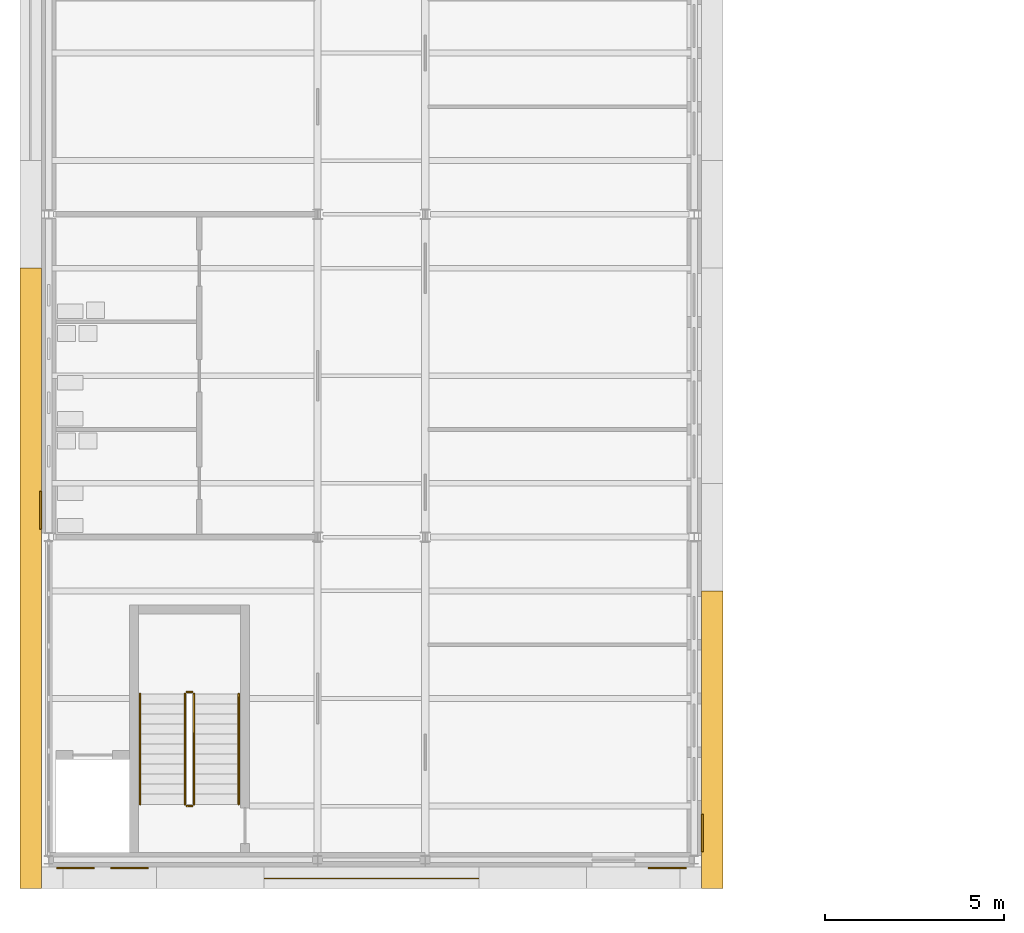
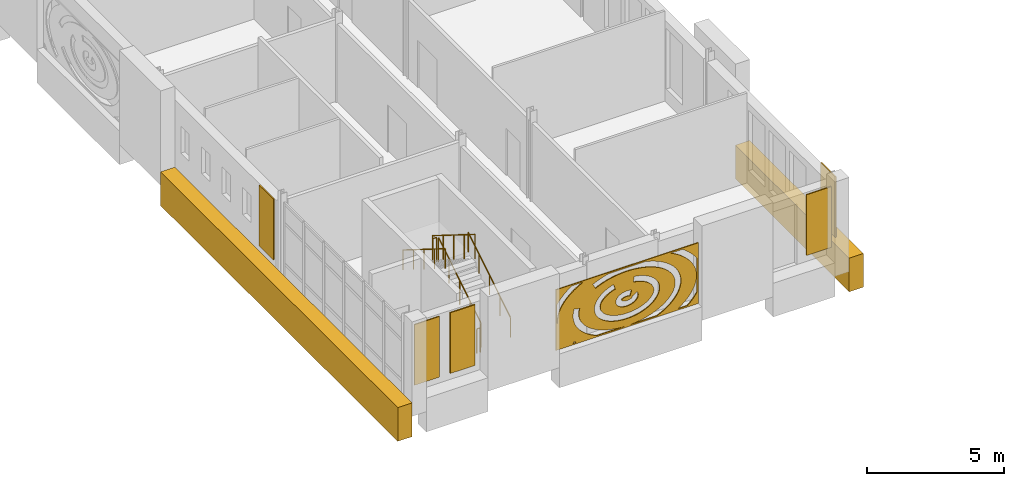
# One storey, part 113 of 121: 8 coverings, 6 railings.
"""IFC4 building model written with IfcOpenShell, lengths in metres."""

import ifcopenshell
import ifcopenshell.guid

model = None  # the IFC model being written
_history = None  # IfcOwnerHistory: only IFC2X3 demands one
_inside = {}  # id of a spatial element -> (the spatial element, [elements in it])
_under = {}  # id of a project, library or spatial element -> (it, [spatial elements below it])
_declared = {}  # id of a project -> (the project, [libraries it declares])
_typed = {}  # id of a type object -> (the type object, [elements of that type])
_made_of = {}  # id of a material, layer set ... -> (it, [elements and type objects made of it])


def new_model(schema):
    """Start an empty IFC model of exactly this schema.

    Asked for "IFC4X3", IfcOpenShell would pick the latest addendum, in which some entities
    have other attributes; the version numbers below select the first issue.
    IFC2X3 requires an IfcOwnerHistory on every rooted entity: one is made here for all.
    """
    global model, _history
    if schema == "IFC4X3":
        model = ifcopenshell.file(schema_version=(4, 3, 0, 0))
    else:
        model = ifcopenshell.file(schema=schema)
    _inside.clear()
    _under.clear()
    _declared.clear()
    _typed.clear()
    _made_of.clear()
    _history = None
    if model.schema == "IFC2X3":
        org = make("IfcOrganization", Name="unknown")
        user = make(
            "IfcPersonAndOrganization",
            ThePerson=make("IfcPerson", FamilyName="unknown"),
            TheOrganization=org,
        )
        app = make(
            "IfcApplication",
            ApplicationDeveloper=org,
            Version="unknown",
            ApplicationFullName="unknown",
            ApplicationIdentifier="unknown",
        )
        _history = make(
            "IfcOwnerHistory",
            OwningUser=user,
            OwningApplication=app,
            ChangeAction="ADDED",
            CreationDate=0,
        )
    return model


def make(cls, **values):
    """One entity of the class cls with the attributes given. An attribute that is None is left unset."""
    return model.create_entity(
        cls, **{name: value for name, value in values.items() if value is not None}
    )


def rooted(cls, **values):
    """An entity with a GlobalId (a new one), such as an element, a storey or a relation."""
    return make(cls, GlobalId=ifcopenshell.guid.new(), OwnerHistory=_history, **values)


def si_unit(unit_type, name, prefix=None):
    """IfcSIUnit, for example si_unit("LENGTHUNIT", "METRE", prefix="MILLI")."""
    return make("IfcSIUnit", UnitType=unit_type, Prefix=prefix, Name=name)


def assignment(units):
    """IfcUnitAssignment: the units of a project."""
    return None if units is None else make("IfcUnitAssignment", Units=units)


def point(xyz):
    """IfcCartesianPoint."""
    return None if xyz is None else make("IfcCartesianPoint", Coordinates=xyz)


def direction(xyz):
    """IfcDirection."""
    return None if xyz is None else make("IfcDirection", DirectionRatios=xyz)


def frame(location, z_axis=None, x_axis=None):
    """IfcAxis2Placement3D, a coordinate frame: its origin and axes. An axis left out is left unset."""
    return make(
        "IfcAxis2Placement3D",
        Location=point(location),
        Axis=direction(z_axis),
        RefDirection=direction(x_axis),
    )


def frame_2d(location, x_axis=None):
    """IfcAxis2Placement2D, a coordinate frame in the plane: its origin and x axis."""
    return make(
        "IfcAxis2Placement2D", Location=point(location), RefDirection=direction(x_axis)
    )


def origin():
    """The frame at (0, 0, 0) with its axes left unset."""
    return frame((0.0, 0.0, 0.0))


def origin_2d():
    """The frame at (0, 0) in the plane with its x axis left unset."""
    return frame_2d((0.0, 0.0))


def place(relative_to, where):
    """IfcLocalPlacement: puts the frame where relative to a parent placement (None: the world)."""
    return make(
        "IfcLocalPlacement", PlacementRelTo=relative_to, RelativePlacement=where
    )


def context(
    kind, dimensions, precision=None, world=None, true_north=None, identifier=None
):
    """IfcGeometricRepresentationContext, for example the 3D "Model" context."""
    return make(
        "IfcGeometricRepresentationContext",
        ContextIdentifier=identifier,
        ContextType=kind,
        CoordinateSpaceDimension=dimensions,
        Precision=precision,
        WorldCoordinateSystem=world,
        TrueNorth=true_north,
    )


def subcontext(parent, identifier, kind, view, scale=None):
    """IfcGeometricRepresentationSubContext, for example "Body" below "Model"."""
    return make(
        "IfcGeometricRepresentationSubContext",
        ContextIdentifier=identifier,
        ContextType=kind,
        ParentContext=parent,
        TargetScale=scale,
        TargetView=view,
    )


def project(units=None, contexts=None):
    """IfcProject with its units and contexts."""
    return rooted(
        "IfcProject",
        Name="project",
        RepresentationContexts=contexts,
        UnitsInContext=assignment(units),
    )


def spatial(cls, under=None, at=None, **own):
    """A site, building, storey or space (cls), placed at a placement, below another one or the project."""
    s = rooted(cls, ObjectPlacement=at, **own)
    if under is not None:
        _under.setdefault(under.id(), (under, []))[1].append(s)
    return s


def polyline(points):
    """IfcPolyline through the points."""
    return make("IfcPolyline", Points=[point(p) for p in points])


def profile(cls, at=None, kind="AREA", **sizes):
    """A parametric profile (cls). Its sizes go by their IFC names, for example OverallWidth=200.0."""
    return make(cls, ProfileType=kind, Position=at, **sizes)


def circle(**sizes):
    """IfcCircleProfileDef."""
    return profile("IfcCircleProfileDef", **sizes)


def outline(outer, holes=None, kind="AREA"):
    """IfcArbitraryClosedProfileDef: a profile drawn as a closed curve; with holes, ...WithVoids."""
    if holes is None:
        return make("IfcArbitraryClosedProfileDef", ProfileType=kind, OuterCurve=outer)
    return make(
        "IfcArbitraryProfileDefWithVoids",
        ProfileType=kind,
        OuterCurve=outer,
        InnerCurves=holes,
    )


def extrude(swept, where, along, depth):
    """IfcExtrudedAreaSolid: the profile swept, set in the frame where, extruded along a direction by depth."""
    return make(
        "IfcExtrudedAreaSolid",
        SweptArea=swept,
        Position=where,
        ExtrudedDirection=direction(along),
        Depth=depth,
    )


def shape(context_of_items, identifier, shape_type, items):
    """IfcShapeRepresentation: the items that make up one representation, for example the "Body"."""
    return make(
        "IfcShapeRepresentation",
        ContextOfItems=context_of_items,
        RepresentationIdentifier=identifier,
        RepresentationType=shape_type,
        Items=items,
    )


def material(Name=None, Category=None):
    """IfcMaterial."""
    return make("IfcMaterial", Name=Name, Category=Category)


def layer(
    of_material, thickness, ventilated=None, Name=None, Category=None, Priority=None
):
    """IfcMaterialLayer: one layer of a wall or slab, of a material (None: an air gap)."""
    return make(
        "IfcMaterialLayer",
        Material=of_material,
        LayerThickness=thickness,
        IsVentilated=ventilated,
        Name=Name,
        Category=Category,
        Priority=Priority,
    )


def layer_set(layers, Name=None):
    """IfcMaterialLayerSet."""
    return make("IfcMaterialLayerSet", MaterialLayers=layers, LayerSetName=Name)


def made_of(thing, what):
    """Note that an element or type object is made of a material, layer set ...; save() writes the relation."""
    if what is not None:
        _made_of.setdefault(what.id(), (what, []))[1].append(thing)
    return thing


def type_object(cls, material=None, **own):
    """A type object (cls), such as IfcWallType, which elements share."""
    return made_of(rooted(cls, **own), material)


def element(
    cls,
    number,
    at=None,
    inside=None,
    cuts=None,
    type_object=None,
    material=None,
    context=None,
    identifier="Body",
    shape_type=None,
    held_by="IfcProductDefinitionShape",
    body=None,
    shapes=None,
    **own,
):
    """One element of the class cls, such as IfcWall. Its Tag is "e" and its number.

    at: its placement. inside: the storey or other place that contains it. cuts: it is an
    opening in that element (IfcRelVoidsElement). A single representation is given by context,
    identifier, shape_type and body (its items); several are given by shapes. held_by: the class
    of the entity that holds the representations. save() writes the other relations.
    """
    e = rooted(cls, Tag="e%d" % number, ObjectPlacement=at, **own)
    if body is not None:
        shapes = [shape(context, identifier, shape_type, body)]
    if shapes is not None:
        e.Representation = make(held_by, Representations=shapes)
    if inside is not None:
        _inside.setdefault(inside.id(), (inside, []))[1].append(e)
    if cuts is not None:
        rooted(
            "IfcRelVoidsElement", RelatingBuildingElement=cuts, RelatedOpeningElement=e
        )
    if type_object is not None:
        _typed.setdefault(type_object.id(), (type_object, []))[1].append(e)
    return made_of(e, material)


def aggregate(whole, parts):
    """IfcRelAggregates: a whole, such as a stair, and the parts it consists of."""
    return rooted("IfcRelAggregates", RelatingObject=whole, RelatedObjects=parts)


def save(model, path):
    """Write the relations noted so far, then the file.

    IfcRelAggregates (storeys below a building ...), IfcRelContainedInSpatialStructure (elements
    in a storey), IfcRelDefinesByType, IfcRelAssociatesMaterial and IfcRelDeclares: one each for
    every whole, place, type object, material and project.
    """
    for whole, parts in _under.values():
        aggregate(whole, parts)
    for where, things in _inside.values():
        rooted(
            "IfcRelContainedInSpatialStructure",
            RelatedElements=things,
            RelatingStructure=where,
        )
    for kind, things in _typed.values():
        rooted("IfcRelDefinesByType", RelatedObjects=things, RelatingType=kind)
    for what, things in _made_of.values():
        rooted("IfcRelAssociatesMaterial", RelatedObjects=things, RelatingMaterial=what)
    for by, libraries in _declared.values():
        rooted("IfcRelDeclares", RelatingContext=by, RelatedDefinitions=libraries)
    model.write(path)


model = new_model("IFC4")

# Units and contexts
model_context = context("Model", 3, precision=1e-05, world=origin(), true_north=direction((0.0, 1.0)))
body_context = subcontext(model_context, "Body", "Model", "MODEL_VIEW")
ifc_project = project(units=[si_unit("LENGTHUNIT", "METRE"), si_unit("AREAUNIT", "SQUARE_METRE"), si_unit("VOLUMEUNIT", "CUBIC_METRE"), si_unit("PLANEANGLEUNIT", "RADIAN"), si_unit("MASSUNIT", "GRAM", prefix="KILO")], contexts=[model_context])

# Site, building, storey
site_placement = place(None, origin())
site = spatial("IfcSite", under=ifc_project, at=site_placement, CompositionType="ELEMENT")
building_placement = place(site_placement, origin())
building = spatial("IfcBuilding", under=site, at=building_placement, Name="Golden Quay Civic Hall", CompositionType="ELEMENT")
storey_placement = place(building_placement, frame((0.0, 0.0, 18.60009765625)))
storey = spatial("IfcBuildingStorey", under=building, at=storey_placement, Name="L04", CompositionType="ELEMENT", Elevation=18.60009765625)

# Covering
ifc_material_1 = material(Name="Aluminium, golden anodised, perforated", Category="aluminium")
ifc_layer_1 = layer(ifc_material_1, 0.0400390625)
ifc_layer_set_1 = layer_set([ifc_layer_1], Name="Perforated screen panel 6000 x 2700 x 40")
covering_type_1 = type_object("IfcCoveringType", Name="Perforated screen panel 6000 x 2700 x 40", PredefinedType="CLADDING", material=ifc_layer_set_1)
covering_1_placement = place(storey_placement, frame((9.0, -9.5, 1.949951171875), z_axis=(0.0, -1.0, 0.0), x_axis=(1.0, 0.0, 0.0)))
element("IfcCovering", 1, at=covering_1_placement, inside=storey, type_object=covering_type_1, Name="Perforated screen panel 6000 x 2700 x 40 L04 6", PredefinedType="CLADDING", context=body_context, shape_type="SweptSolid", body=[
    extrude(outline(polyline([(-3.0, -1.35009765625), (3.0, -1.35009765625), (3.0, 1.35009765625), (-3.0, 1.35009765625), (-3.0, -1.35009765625)]), holes=[polyline([(0.080810546875, 0.007080078125), (0.03125, 0.013671875), (-0.02001953125, 0.014404296875), (-0.0703125, 0.009033203125), (-0.11669921875, -0.001708984375), (-0.15673828125, -0.0166015625), (-0.20068359375, -0.04296875), (-0.222412109375, -0.066162109375), (-0.226806640625, -0.0751953125), (-0.226806640625, -0.084716796875), (-0.210205078125, -0.108642578125), (-0.17333984375, -0.135009765625), (-0.13720703125, -0.151611328125), (-0.093505859375, -0.16455078125), (-0.044921875, -0.172607421875), (0.006103515625, -0.1748046875), (0.056884765625, -0.1708984375), (0.1044921875, -0.161865234375), (0.146728515625, -0.14794921875), (0.1943359375, -0.121826171875), (0.2138671875, -0.104736328125), (0.22607421875, -0.086669921875), (0.22607421875, -0.073486328125), (0.21630859375, -0.056884765625), (0.423095703125, 0.073486328125), (0.45166015625, 0.02099609375), (0.463623046875, -0.014892578125), (0.470703125, -0.052490234375), (0.4716796875, -0.09130859375), (0.46728515625, -0.1298828125), (0.45703125, -0.1669921875), (0.441650390625, -0.202392578125), (0.413330078125, -0.246826171875), (0.3720703125, -0.2919921875), (0.333984375, -0.322509765625), (0.278564453125, -0.356201171875), (0.20751953125, -0.385986328125), (0.16259765625, -0.3994140625), (0.08544921875, -0.413818359375), (0.006103515625, -0.419189453125), (-0.073486328125, -0.415283203125), (-0.151611328125, -0.40185546875), (-0.21826171875, -0.382080078125), (-0.287353515625, -0.351318359375), (-0.328125, -0.32666015625), (-0.376953125, -0.287353515625), (-0.410888671875, -0.25), (-0.443115234375, -0.199462890625), (-0.462890625, -0.148193359375), (-0.4716796875, -0.089599609375), (-0.4677734375, -0.032958984375), (-0.450439453125, 0.023681640625), (-0.43310546875, 0.057861328125), (-0.41162109375, 0.089111328125), (-0.377685546875, 0.126708984375), (-0.320068359375, 0.172119140625), (-0.25439453125, 0.20751953125), (-0.1826171875, 0.23388671875), (-0.14501953125, 0.243408203125), (-0.074462890625, 0.255126953125), (0.01220703125, 0.259033203125), (0.08447265625, 0.25390625), (0.123291015625, 0.247802734375), (0.19873046875, 0.22900390625), (0.1298828125, -0.005615234375), (0.080810546875, 0.007080078125)]), polyline([(-0.646728515625, 0.451904296875), (-0.717041015625, 0.42041015625), (-0.78271484375, 0.385986328125), (-0.84326171875, 0.348876953125), (-0.898193359375, 0.309814453125), (-0.94775390625, 0.2685546875), (-0.9912109375, 0.22607421875), (-1.028564453125, 0.1826171875), (-1.059814453125, 0.138427734375), (-1.0849609375, 0.093994140625), (-1.10400390625, 0.049560546875), (-1.117431640625, 0.005126953125), (-1.125244140625, -0.038818359375), (-1.127685546875, -0.082763671875), (-1.12451171875, -0.126708984375), (-1.1162109375, -0.170654296875), (-1.10205078125, -0.215087890625), (-1.08203125, -0.259521484375), (-1.05615234375, -0.303955078125), (-1.0244140625, -0.347900390625), (-0.986083984375, -0.391357421875), (-0.94189453125, -0.433837890625), (-0.891845703125, -0.474609375), (-0.8359375, -0.513671875), (-0.77490234375, -0.55029296875), (-0.70849609375, -0.58447265625), (-0.6376953125, -0.615478515625), (-0.56298828125, -0.643310546875), (-0.484375, -0.667724609375), (-0.402587890625, -0.688720703125), (-0.318359375, -0.70556640625), (-0.23193359375, -0.718505859375), (-0.14404296875, -0.727294921875), (-0.055419921875, -0.73193359375), (0.03369140625, -0.732421875), (0.122802734375, -0.728759765625), (0.210693359375, -0.720947265625), (0.297607421875, -0.708984375), (0.382568359375, -0.693115234375), (0.46484375, -0.673095703125), (0.544189453125, -0.649658203125), (0.6201171875, -0.62255859375), (0.69189453125, -0.59228515625), (0.75927734375, -0.558837890625), (0.821533203125, -0.522705078125), (0.87890625, -0.484375), (0.930419921875, -0.44384765625), (0.97607421875, -0.40185546875), (1.015625, -0.358642578125), (1.049072265625, -0.314697265625), (1.076416015625, -0.270263671875), (1.09765625, -0.225830078125), (1.11328125, -0.181396484375), (1.123046875, -0.13720703125), (1.127197265625, -0.093505859375), (1.126220703125, -0.049560546875), (1.119873046875, -0.00537109375), (1.10791015625, 0.038818359375), (1.090087890625, 0.083251953125), (1.06640625, 0.127685546875), (1.03662109375, 0.171875), (1.000732421875, 0.215576171875), (0.958740234375, 0.25830078125), (0.910888671875, 0.2998046875), (0.857177734375, 0.339599609375), (0.7978515625, 0.377197265625), (0.7333984375, 0.412109375), (0.664306640625, 0.4443359375), (0.5908203125, 0.473388671875), (0.513427734375, 0.499267578125), (0.432861328125, 0.521484375), (0.349609375, 0.539794921875), (0.260986328125, 0.5546875), (0.301513671875, 0.795654296875), (0.39306640625, 0.7802734375), (0.488525390625, 0.759521484375), (0.587646484375, 0.732177734375), (0.671142578125, 0.704345703125), (0.757568359375, 0.67041015625), (0.840087890625, 0.632080078125), (0.92529296875, 0.585693359375), (0.998779296875, 0.538818359375), (1.059814453125, 0.49365234375), (1.122314453125, 0.440185546875), (1.17919921875, 0.3828125), (1.236328125, 0.31298828125), (1.279296875, 0.248046875), (1.30908203125, 0.192138671875), (1.33740234375, 0.122802734375), (1.357666015625, 0.051513671875), (1.370361328125, -0.0361328125), (1.371337890625, -0.10986328125), (1.36328125, -0.18310546875), (1.34619140625, -0.255126953125), (1.326171875, -0.312744140625), (1.287841796875, -0.39306640625), (1.247314453125, -0.457763671875), (1.206787109375, -0.510986328125), (1.145263671875, -0.578125), (1.0849609375, -0.633056640625), (1.026123046875, -0.67919921875), (0.947509765625, -0.732421875), (0.87109375, -0.776123046875), (0.797119140625, -0.812744140625), (0.70556640625, -0.8515625), (0.616943359375, -0.883056640625), (0.525146484375, -0.909912109375), (0.4306640625, -0.9326171875), (0.33984375, -0.94970703125), (0.2353515625, -0.964111328125), (0.1357421875, -0.972900390625), (0.035400390625, -0.976806640625), (-0.0595703125, -0.976318359375), (-0.159912109375, -0.97119140625), (-0.265380859375, -0.96044921875), (-0.357421875, -0.94677734375), (-0.453857421875, -0.927490234375), (-0.5537109375, -0.902099609375), (-0.638671875, -0.875732421875), (-0.726318359375, -0.84326171875), (-0.810302734375, -0.806640625), (-0.89013671875, -0.765869140625), (-0.96533203125, -0.72119140625), (-1.035400390625, -0.672607421875), (-1.10009765625, -0.6201171875), (-1.158935546875, -0.564208984375), (-1.21875, -0.49609375), (-1.264404296875, -0.43212890625), (-1.302490234375, -0.365234375), (-1.327880859375, -0.30859375), (-1.351318359375, -0.23779296875), (-1.367919921875, -0.15087890625), (-1.371826171875, -0.092041015625), (-1.368896484375, -0.018310546875), (-1.353515625, 0.069091796875), (-1.331298828125, 0.139892578125), (-1.30078125, 0.20849609375), (-1.262939453125, 0.2744140625), (-1.224853515625, 0.328369140625), (-1.173095703125, 0.389404296875), (-1.114990234375, 0.44677734375), (-1.043701171875, 0.506103515625), (-0.974365234375, 0.55517578125), (-0.899658203125, 0.6005859375), (-0.820556640625, 0.641845703125), (-0.737060546875, 0.678955078125), (-0.64990234375, 0.7119140625), (-0.565185546875, 0.73876953125), (-0.4912109375, 0.505859375), (-0.572509765625, 0.47998046875), (-0.646728515625, 0.451904296875)]), polyline([(-2.021484375, 0.0126953125), (-2.02734375, -0.059814453125), (-2.025634765625, -0.13232421875), (-2.0166015625, -0.204833984375), (-2.0, -0.277099609375), (-1.9755859375, -0.349365234375), (-1.943603515625, -0.4208984375), (-1.904052734375, -0.4921875), (-1.856689453125, -0.56201171875), (-1.801513671875, -0.630859375), (-1.73876953125, -0.697998046875), (-1.668701171875, -0.762939453125), (-1.591552734375, -0.82568359375), (-1.50732421875, -0.885498046875), (-1.416748046875, -0.9423828125), (-1.320068359375, -0.99560546875), (-1.21728515625, -1.045166015625), (-1.109619140625, -1.0908203125), (-0.996826171875, -1.132080078125), (-0.8798828125, -1.169189453125), (-0.759033203125, -1.201416015625), (-0.634765625, -1.22900390625), (-0.5078125, -1.251708984375), (-0.378662109375, -1.269287109375), (-0.247802734375, -1.281494140625), (-0.115966796875, -1.288818359375), (-0.032958984375, -1.2900390625), (-1.26611328125, -1.2900390625), (-1.43505859375, -1.211181640625), (-1.53759765625, -1.15478515625), (-1.64013671875, -1.0908203125), (-1.736328125, -1.0224609375), (-1.83203125, -0.94482421875), (-1.914306640625, -0.867919921875), (-1.9892578125, -0.787353515625), (-2.05615234375, -0.703125), (-2.11474609375, -0.61572265625), (-2.164794921875, -0.525390625), (-2.205322265625, -0.4326171875), (-2.2333984375, -0.349365234375), (-2.256103515625, -0.253662109375), (-2.26904296875, -0.156494140625), (-2.271728515625, -0.05908203125), (-2.262939453125, 0.05078125), (-2.24462890625, 0.147216796875), (-2.220458984375, 0.231201171875), (-1.985595703125, 0.1630859375), (-2.00830078125, 0.085205078125), (-2.021484375, 0.0126953125)]), polyline([(0.148681640625, -1.28759765625), (0.280517578125, -1.279052734375), (0.410888671875, -1.265380859375), (0.53955078125, -1.24658203125), (0.666015625, -1.22265625), (0.789306640625, -1.19384765625), (0.9091796875, -1.160400390625), (1.025390625, -1.122314453125), (1.13671875, -1.079833984375), (1.243408203125, -1.033203125), (1.344482421875, -0.982666015625), (1.43994140625, -0.928466796875), (1.52880859375, -0.870849609375), (1.611328125, -0.810302734375), (1.686767578125, -0.7470703125), (1.755126953125, -0.681396484375), (1.81591796875, -0.614013671875), (1.869140625, -0.544921875), (1.91455078125, -0.474609375), (1.952392578125, -0.4033203125), (1.982421875, -0.331298828125), (2.004638671875, -0.25927734375), (2.01953125, -0.186767578125), (2.02685546875, -0.1142578125), (2.026611328125, -0.041748046875), (2.018798828125, 0.03076171875), (2.003662109375, 0.103271484375), (1.98095703125, 0.17529296875), (1.950439453125, 0.247314453125), (1.912109375, 0.318603515625), (1.8662109375, 0.388671875), (1.812744140625, 0.457763671875), (1.75146484375, 0.525146484375), (1.682861328125, 0.5908203125), (1.60693359375, 0.65380859375), (1.524169921875, 0.714111328125), (1.434814453125, 0.771484375), (1.339111328125, 0.82568359375), (1.237548828125, 0.8759765625), (1.130615234375, 0.92236328125), (1.018798828125, 0.964599609375), (0.902587890625, 1.00244140625), (0.782470703125, 1.03564453125), (0.658935546875, 1.064208984375), (0.532470703125, 1.087646484375), (0.40380859375, 1.106201171875), (0.273193359375, 1.11962890625), (0.141357421875, 1.127685546875), (0.009033203125, 1.130859375), (-0.123291015625, 1.12841796875), (-0.255126953125, 1.12109375), (-0.385986328125, 1.1083984375), (-0.514892578125, 1.090576171875), (-0.641845703125, 1.067626953125), (-0.765869140625, 1.039794921875), (-0.886474609375, 1.007080078125), (-1.00341796875, 0.969970703125), (-1.11572265625, 0.928466796875), (-1.223388671875, 0.882568359375), (-1.32861328125, 0.831298828125), (-1.435546875, 1.051025390625), (-1.322021484375, 1.106201171875), (-1.203369140625, 1.156494140625), (-1.08544921875, 1.2001953125), (-0.952880859375, 1.242431640625), (-0.76708984375, 1.2900390625), (0.76708984375, 1.2900390625), (0.84521484375, 1.27197265625), (0.9755859375, 1.235595703125), (1.097412109375, 1.196044921875), (1.219970703125, 1.14990234375), (1.343505859375, 1.09619140625), (1.45068359375, 1.043212890625), (1.557861328125, 0.982666015625), (1.6591796875, 0.91796875), (1.754150390625, 0.848876953125), (1.848388671875, 0.7705078125), (1.92333984375, 0.69921875), (1.996826171875, 0.61865234375), (2.068115234375, 0.526611328125), (2.125, 0.438720703125), (2.173095703125, 0.347900390625), (2.212158203125, 0.254638671875), (2.24169921875, 0.159423828125), (2.259521484375, 0.074951171875), (2.270263671875, -0.022216796875), (2.271240234375, -0.119873046875), (2.26220703125, -0.21728515625), (2.242919921875, -0.31396484375), (2.214111328125, -0.4091796875), (2.17578125, -0.502685546875), (2.1279296875, -0.593505859375), (2.071533203125, -0.681884765625), (2.006591796875, -0.766845703125), (1.93359375, -0.848388671875), (1.853271484375, -0.92626953125), (1.75927734375, -1.0048828125), (1.664794921875, -1.07421875), (1.569580078125, -1.135498046875), (1.456787109375, -1.19970703125), (1.349853515625, -1.25341796875), (1.266357421875, -1.2900390625), (0.046142578125, -1.2900390625), (0.148681640625, -1.28759765625)]), polyline([(2.226318359375, -1.224365234375), (2.327880859375, -1.14794921875), (2.42236328125, -1.068603515625), (2.50927734375, -0.986572265625), (2.588134765625, -0.902099609375), (2.6591796875, -0.8154296875), (2.7216796875, -0.727294921875), (2.7763671875, -0.637451171875), (2.822509765625, -0.54638671875), (2.860107421875, -0.45458984375), (2.889404296875, -0.3623046875), (2.91064453125, -0.269287109375), (2.92333984375, -0.17626953125), (2.927734375, -0.0830078125), (2.923828125, 0.010498046875), (2.91162109375, 0.103515625), (2.89111328125, 0.196533203125), (2.8623046875, 0.2890625), (2.824951171875, 0.380859375), (2.779296875, 0.4716796875), (2.725341796875, 0.561767578125), (2.6630859375, 0.650146484375), (2.5927734375, 0.73681640625), (2.514404296875, 0.8212890625), (2.427978515625, 0.903564453125), (2.333984375, 0.983154296875), (2.23291015625, 1.059814453125), (2.12451171875, 1.133056640625), (2.00927734375, 1.20263671875), (1.843505859375, 1.2900390625), (2.32861328125, 1.2900390625), (2.377685546875, 1.256591796875), (2.489501953125, 1.171875), (2.588623046875, 1.087890625), (2.685791015625, 0.99560546875), (2.774658203125, 0.89990234375), (2.85546875, 0.80078125), (2.93994140625, 0.67919921875), (2.93994140625, -0.838623046875), (2.85595703125, -0.96044921875), (2.769287109375, -1.06591796875), (2.679931640625, -1.16162109375), (2.587890625, -1.24853515625), (2.538818359375, -1.2900390625), (2.12841796875, -1.2900390625), (2.226318359375, -1.224365234375)]), polyline([(-1.84375, 1.2900390625), (-1.999755859375, 1.2080078125), (-2.115478515625, 1.138671875), (-2.224365234375, 1.06591796875), (-2.326171875, 0.989501953125), (-2.420654296875, 0.91015625), (-2.5078125, 0.828125), (-2.586669921875, 0.74365234375), (-2.65771484375, 0.656982421875), (-2.720703125, 0.56884765625), (-2.775390625, 0.47900390625), (-2.821533203125, 0.38818359375), (-2.859619140625, 0.29638671875), (-2.88916015625, 0.2041015625), (-2.91015625, 0.111083984375), (-2.923095703125, 0.017822265625), (-2.927734375, -0.075439453125), (-2.923583984375, -0.174072265625), (-2.93994140625, -0.1748046875), (-2.93994140625, 0.6787109375), (-2.8544921875, 0.802490234375), (-2.767822265625, 0.90771484375), (-2.677978515625, 1.00341796875), (-2.5859375, 1.09033203125), (-2.475341796875, 1.18310546875), (-2.32861328125, 1.2900390625), (-1.84375, 1.2900390625)]), polyline([(-2.2333984375, -1.21923828125), (-2.12890625, -1.2900390625), (-2.28125, -1.2900390625), (-2.2333984375, -1.21923828125)])]), origin(), (0.0, 0.0, 1.0), 0.0400390625),
])

# Railings
ifc_material_2 = material(Name="Steel S355", Category="steel")
railing_type_1 = type_object("IfcRailingType", Name="Steel guard 1100", PredefinedType="GUARDRAIL", material=ifc_material_2)
railing_1_placement = place(storey_placement, frame((4.050048828125, -7.449951171875, 0.1748046875)))
element("IfcRailing", 2, at=railing_1_placement, inside=storey, type_object=railing_type_1, Name="L04 WO-S stair guard 1", PredefinedType="GUARDRAIL", context=body_context, shape_type="SweptSolid", body=[
    extrude(circle(Radius=0.02392578125, at=origin_2d()), frame((0.0, 0.0, 1.076171875), z_axis=(0.0, 0.847979421464, 0.530029150871), x_axis=(-1.0, 0.0, 0.0)), (0.0, 0.0, 1.0), 3.632080078125),
    extrude(circle(Radius=0.02099609375, at=origin_2d()), origin(), (0.0, 0.0, 1.0), 1.052001953125),
    extrude(circle(Radius=0.02099609375, at=origin_2d()), frame((0.0, 0.77001953125, 0.481201171875)), (0.0, 0.0, 1.0), 1.052001953125),
    extrude(circle(Radius=0.02099609375, at=origin_2d()), frame((0.0, 1.5400390625, 0.96240234375)), (0.0, 0.0, 1.0), 1.052001953125),
    extrude(circle(Radius=0.02099609375, at=origin_2d()), frame((0.0, 2.309814453125, 1.44384765625)), (0.0, 0.0, 1.0), 1.052001953125),
    extrude(circle(Radius=0.02099609375, at=origin_2d()), frame((0.0, 3.079833984375, 1.925048828125)), (0.0, 0.0, 1.0), 1.052001953125),
])
railing_2_placement = place(storey_placement, frame((4.0, -4.320068359375, 2.099853515625)))
element("IfcRailing", 3, at=railing_2_placement, inside=storey, type_object=railing_type_1, Name="L04 WO-S stair guard 2", PredefinedType="GUARDRAIL", context=body_context, shape_type="SweptSolid", body=[
    extrude(circle(Radius=0.02392578125, at=origin_2d()), frame((0.0, 0.0, 1.076171875), z_axis=(-1.0, 0.0, 0.0), x_axis=(0.0, -1.0, 0.0)), (0.0, 0.0, 1.0), 0.14990234375),
    extrude(circle(Radius=0.02099609375, at=origin_2d()), origin(), (0.0, 0.0, 1.0), 1.052001953125),
    extrude(circle(Radius=0.02099609375, at=origin_2d()), frame((-0.14990234375, 0.0, 0.0)), (0.0, 0.0, 1.0), 1.052001953125),
])
railing_3_placement = place(storey_placement, frame((3.800048828125, -4.3701171875, 2.27490234375)))
element("IfcRailing", 4, at=railing_3_placement, inside=storey, type_object=railing_type_1, Name="L04 WO-S stair guard 3", PredefinedType="GUARDRAIL", context=body_context, shape_type="SweptSolid", body=[
    extrude(circle(Radius=0.02392578125, at=origin_2d()), frame((0.0, 0.0, 1.076171875), z_axis=(0.0, -0.847979421464, 0.530029150871), x_axis=(1.0, 0.0, 0.0)), (0.0, 0.0, 1.0), 3.632080078125),
    extrude(circle(Radius=0.02099609375, at=origin_2d()), origin(), (0.0, 0.0, 1.0), 1.052001953125),
    extrude(circle(Radius=0.02099609375, at=origin_2d()), frame((0.0, -0.77001953125, 0.481201171875)), (0.0, 0.0, 1.0), 1.052001953125),
    extrude(circle(Radius=0.02099609375, at=origin_2d()), frame((0.0, -1.5400390625, 0.96240234375)), (0.0, 0.0, 1.0), 1.052001953125),
    extrude(circle(Radius=0.02099609375, at=origin_2d()), frame((0.0, -2.309814453125, 1.44384765625)), (0.0, 0.0, 1.0), 1.052001953125),
    extrude(circle(Radius=0.02099609375, at=origin_2d()), frame((0.0, -3.079833984375, 1.925048828125)), (0.0, 0.0, 1.0), 1.052001953125),
])
railing_4_placement = place(storey_placement, frame((4.0, -7.5, 0.0)))
element("IfcRailing", 5, at=railing_4_placement, inside=storey, type_object=railing_type_1, Name="L04 WO-S stair guard 4", PredefinedType="GUARDRAIL", context=body_context, shape_type="SweptSolid", body=[
    extrude(circle(Radius=0.02392578125, at=origin_2d()), frame((0.0, 0.0, 1.076171875), z_axis=(-1.0, 0.0, 0.0), x_axis=(0.0, -1.0, 0.0)), (0.0, 0.0, 1.0), 0.14990234375),
    extrude(circle(Radius=0.02099609375, at=origin_2d()), origin(), (0.0, 0.0, 1.0), 1.052001953125),
    extrude(circle(Radius=0.02099609375, at=origin_2d()), frame((-0.14990234375, 0.0, 0.0)), (0.0, 0.0, 1.0), 1.052001953125),
])
ifc_material_3 = material(Name="Steel S355", Category="steel")
railing_type_2 = type_object("IfcRailingType", Name="Steel handrail 900", PredefinedType="HANDRAIL", material=ifc_material_3)
railing_5_placement = place(storey_placement, frame((5.300048828125, -7.449951171875, 0.1748046875)))
element("IfcRailing", 6, at=railing_5_placement, inside=storey, type_object=railing_type_2, Name="L04 WO-S stair handrail 1", PredefinedType="HANDRAIL", context=body_context, shape_type="SweptSolid", body=[
    extrude(circle(Radius=0.02392578125, at=origin_2d()), frame((0.0, 0.0, 0.8759765625), z_axis=(0.0, 0.847979421464, 0.530029150871), x_axis=(-1.0, 0.0, 0.0)), (0.0, 0.0, 1.0), 3.632080078125),
    extrude(circle(Radius=0.02099609375, at=origin_2d()), origin(), (0.0, 0.0, 1.0), 0.851806640625),
    extrude(circle(Radius=0.02099609375, at=origin_2d()), frame((0.0, 0.77001953125, 0.481201171875)), (0.0, 0.0, 1.0), 0.851806640625),
    extrude(circle(Radius=0.02099609375, at=origin_2d()), frame((0.0, 1.5400390625, 0.96240234375)), (0.0, 0.0, 1.0), 0.851806640625),
    extrude(circle(Radius=0.02099609375, at=origin_2d()), frame((0.0, 2.309814453125, 1.44384765625)), (0.0, 0.0, 1.0), 0.851806640625),
    extrude(circle(Radius=0.02099609375, at=origin_2d()), frame((0.0, 3.079833984375, 1.925048828125)), (0.0, 0.0, 1.0), 0.851806640625),
])
railing_6_placement = place(storey_placement, frame((2.550048828125, -4.3701171875, 2.27490234375)))
element("IfcRailing", 7, at=railing_6_placement, inside=storey, type_object=railing_type_2, Name="L04 WO-S stair handrail 2", PredefinedType="HANDRAIL", context=body_context, shape_type="SweptSolid", body=[
    extrude(circle(Radius=0.02392578125, at=origin_2d()), frame((0.0, 0.0, 0.8759765625), z_axis=(0.0, -0.847979421464, 0.530029150871), x_axis=(1.0, 0.0, 0.0)), (0.0, 0.0, 1.0), 3.632080078125),
    extrude(circle(Radius=0.02099609375, at=origin_2d()), origin(), (0.0, 0.0, 1.0), 0.851806640625),
    extrude(circle(Radius=0.02099609375, at=origin_2d()), frame((0.0, -0.77001953125, 0.481201171875)), (0.0, 0.0, 1.0), 0.851806640625),
    extrude(circle(Radius=0.02099609375, at=origin_2d()), frame((0.0, -1.5400390625, 0.96240234375)), (0.0, 0.0, 1.0), 0.851806640625),
    extrude(circle(Radius=0.02099609375, at=origin_2d()), frame((0.0, -2.309814453125, 1.44384765625)), (0.0, 0.0, 1.0), 0.851806640625),
    extrude(circle(Radius=0.02099609375, at=origin_2d()), frame((0.0, -3.079833984375, 1.925048828125)), (0.0, 0.0, 1.0), 0.851806640625),
])

# Coverings
ifc_material_4 = material(Name="Terracotta cladding, golden glaze", Category="masonry")
ifc_layer_2 = layer(ifc_material_4, 0.050048828125)
ifc_layer_set_2 = layer_set([ifc_layer_2], Name="Terracotta solid panel 1050 x 2700 x 50")
covering_type_2 = type_object("IfcCoveringType", Name="Terracotta solid panel 1050 x 2700 x 50", PredefinedType="CLADDING", material=ifc_layer_set_2)
covering_2_placement = place(storey_placement, frame((0.0, 0.0, 0.89990234375)))
element("IfcCovering", 8, at=covering_2_placement, inside=storey, type_object=covering_type_2, Name="Terracotta solid panel 1050 x 2700 x 50 L04 1", PredefinedType="CLADDING", context=body_context, shape_type="SweptSolid", body=[
    extrude(outline(polyline([(-0.199951171875, 0.22509765625), (-0.199951171875, 1.27490234375), (-0.25, 1.27490234375), (-0.25, 0.22509765625), (-0.199951171875, 0.22509765625)])), origin(), (0.0, 0.0, 1.0), 2.699951171875),
])
covering_3_placement = place(storey_placement, frame((0.0, 0.0, 0.89990234375)))
element("IfcCovering", 9, at=covering_3_placement, inside=storey, type_object=covering_type_2, Name="Terracotta solid panel 1050 x 2700 x 50 L04 10", PredefinedType="CLADDING", context=body_context, shape_type="SweptSolid", body=[
    extrude(outline(polyline([(18.199951171875, -8.77490234375), (18.199951171875, -7.72509765625), (18.25, -7.72509765625), (18.25, -8.77490234375), (18.199951171875, -8.77490234375)])), origin(), (0.0, 0.0, 1.0), 2.699951171875),
])
covering_4_placement = place(storey_placement, frame((0.0, 0.0, 0.89990234375)))
element("IfcCovering", 10, at=covering_4_placement, inside=storey, type_object=covering_type_2, Name="Terracotta solid panel 1050 x 2700 x 50 L04 12", PredefinedType="CLADDING", context=body_context, shape_type="SweptSolid", body=[
    extrude(outline(polyline([(0.22509765625, -9.199951171875), (1.27490234375, -9.199951171875), (1.27490234375, -9.25), (0.22509765625, -9.25), (0.22509765625, -9.199951171875)])), origin(), (0.0, 0.0, 1.0), 2.699951171875),
])
covering_5_placement = place(storey_placement, frame((0.0, 0.0, 0.89990234375)))
element("IfcCovering", 11, at=covering_5_placement, inside=storey, type_object=covering_type_2, Name="Terracotta solid panel 1050 x 2700 x 50 L04 13", PredefinedType="CLADDING", context=body_context, shape_type="SweptSolid", body=[
    extrude(outline(polyline([(1.72509765625, -9.199951171875), (2.77490234375, -9.199951171875), (2.77490234375, -9.25), (1.72509765625, -9.25), (1.72509765625, -9.199951171875)])), origin(), (0.0, 0.0, 1.0), 2.699951171875),
])
covering_6_placement = place(storey_placement, frame((0.0, 0.0, 0.89990234375)))
element("IfcCovering", 12, at=covering_6_placement, inside=storey, type_object=covering_type_2, Name="Terracotta solid panel 1050 x 2700 x 50 L04 14", PredefinedType="CLADDING", context=body_context, shape_type="SweptSolid", body=[
    extrude(outline(polyline([(16.72509765625, -9.199951171875), (17.77490234375, -9.199951171875), (17.77490234375, -9.25), (16.72509765625, -9.25), (16.72509765625, -9.199951171875)])), origin(), (0.0, 0.0, 1.0), 2.699951171875),
])
ifc_material_5 = material(Name="Terracotta cladding, golden glaze", Category="masonry")
covering_type_3 = type_object("IfcCoveringType", Name="Terracotta spandrel fascia 600 x 1500", PredefinedType="CLADDING", material=ifc_material_5)
covering_7_placement = place(storey_placement, frame((0.0, 0.0, -0.900146484375)))
element("IfcCovering", 13, at=covering_7_placement, inside=storey, type_object=covering_type_3, Name="Terracotta spandrel fascia 600 x 1500 L04 2", PredefinedType="CLADDING", context=body_context, shape_type="SweptSolid", body=[
    extrude(outline(polyline([(-0.199951171875, -9.199951171875), (-0.199951171875, -9.800048828125), (-0.800048828125, -9.800048828125), (-0.800048828125, 7.5), (-0.199951171875, 7.5), (-0.199951171875, -9.199951171875)])), origin(), (0.0, 0.0, 1.0), 1.5),
])
covering_8_placement = place(storey_placement, frame((0.0, 0.0, -0.900146484375)))
element("IfcCovering", 14, at=covering_8_placement, inside=storey, type_object=covering_type_3, Name="Terracotta spandrel fascia 600 x 1500 L04 3", PredefinedType="CLADDING", context=body_context, shape_type="SweptSolid", body=[
    extrude(outline(polyline([(18.199951171875, -1.5), (18.800048828125, -1.5), (18.800048828125, -9.800048828125), (18.199951171875, -9.800048828125), (18.199951171875, -9.199951171875), (18.199951171875, -1.5)])), origin(), (0.0, 0.0, 1.0), 1.5),
])

save(model, "model.ifc")
